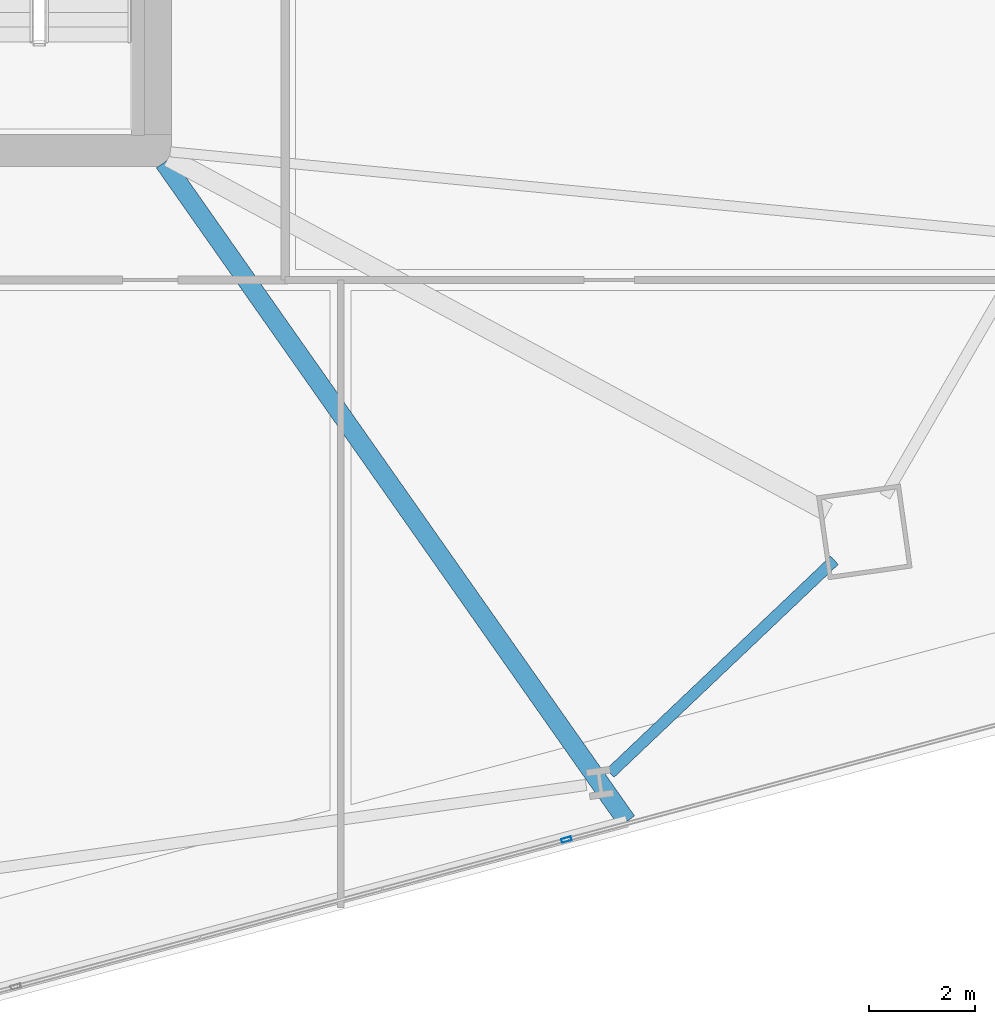
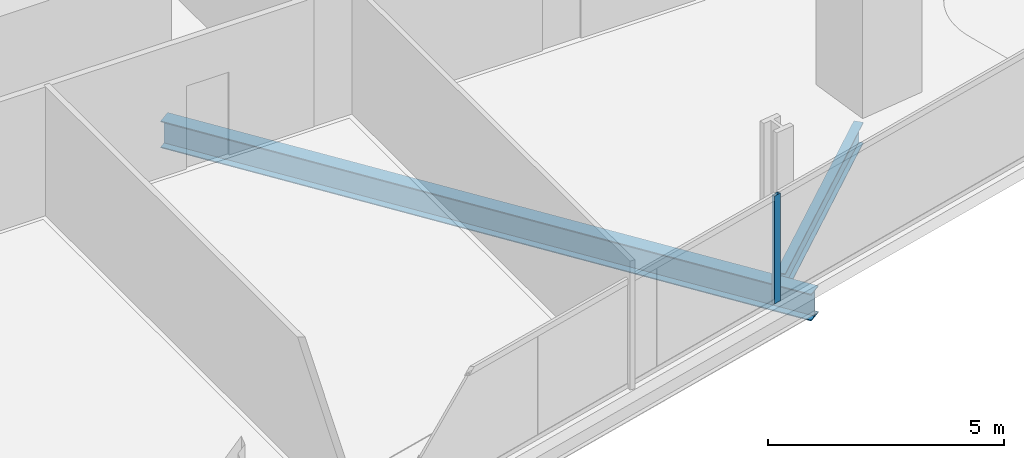
# One storey, part 9 of 33: 2 beams, 1 member, 1 element without a shape of its own.
"""IFC4 building model written with IfcOpenShell, lengths in metres."""

from ifc_helpers import new_model, si_unit, direction, frame, origin, origin_2d, place, context, subcontext, project, spatial, hollow_rectangle, i_section, extrude, material, material_profile, profile_set, type_object, element, aggregate, save


model = new_model("IFC4")

# Units and contexts
model_context = context("Model", 3, precision=1e-05, world=origin(), true_north=direction((0.0, 1.0)))
body_context = subcontext(model_context, "Body", "Model", "MODEL_VIEW")
ifc_project = project(units=[si_unit("LENGTHUNIT", "METRE"), si_unit("AREAUNIT", "SQUARE_METRE"), si_unit("VOLUMEUNIT", "CUBIC_METRE"), si_unit("PLANEANGLEUNIT", "RADIAN"), si_unit("MASSUNIT", "GRAM", prefix="KILO")], contexts=[model_context])

# Site, building, storey
site_placement = place(None, origin())
site = spatial("IfcSite", under=ifc_project, at=site_placement, CompositionType="ELEMENT")
building_placement = place(site_placement, origin())
building = spatial("IfcBuilding", under=site, at=building_placement, Name="Haldenkirk Collegiate Tower", CompositionType="ELEMENT")
storey_placement = place(building_placement, frame((0.0, 0.0, 77.699951171875)))
storey = spatial("IfcBuildingStorey", under=building, at=storey_placement, Name="L18", CompositionType="ELEMENT", Elevation=77.699951171875)

# Beams
ifc_material_1 = material(Name="Steel ASTM A992 Grade 50", Category="steel")
ifc_material_profile_1 = material_profile(ifc_material_1, i_section(OverallWidth=0.35498046875, OverallDepth=0.696044921875, WebThickness=0.015380859375, FlangeThickness=0.02490234375, at=origin_2d()), Name="W27X146")
ifc_profile_set_1 = profile_set([ifc_material_profile_1], Name="Steel ASTM A992 Grade 50")
beam_type_1 = type_object("IfcBeamType", Name="BM-GIRDER-W27X146", PredefinedType="BEAM", material=ifc_profile_set_1)
beam_1_placement = place(storey_placement, frame((53.91162109375, 5.315673828125, -0.657958984375), z_axis=(-0.574872677871, 0.818242876069, 0.0), x_axis=(-0.818242876069, -0.574872677871, 0.0)))
element("IfcBeam", 1, at=beam_1_placement, inside=storey, type_object=beam_type_1, Name="L18 primary floor girder 07", PredefinedType="BEAM", context=body_context, shape_type="SweptSolid", body=[
    extrude(i_section(OverallWidth=0.35498046875, OverallDepth=0.696044921875, WebThickness=0.015380859375, FlangeThickness=0.02490234375, at=origin_2d()), origin(), (0.0, 0.0, 1.0), 15.221923828125),
])
ifc_material_profile_2 = material_profile(ifc_material_1, i_section(OverallWidth=0.2119140625, OverallDepth=0.5439453125, WebThickness=0.01318359375, FlangeThickness=0.021240234375, at=origin_2d()), Name="W21X83")
ifc_profile_set_2 = profile_set([ifc_material_profile_2], Name="Steel ASTM A992 Grade 50")
beam_type_2 = type_object("IfcBeamType", Name="BM-SPANDREL-W21X83", PredefinedType="SPANDREL", material=ifc_profile_set_2)
beam_2_placement = place(storey_placement, frame((53.594482421875, 6.222412109375, -0.58203125), z_axis=(0.725113023209, 0.688629874151, 0.0), x_axis=(-0.688629874151, 0.725113023209, 0.0)))
element("IfcBeam", 2, at=beam_2_placement, inside=storey, type_object=beam_type_2, Name="L18 perimeter spandrel beam 04", PredefinedType="SPANDREL", context=body_context, shape_type="SweptSolid", body=[
    extrude(i_section(OverallWidth=0.2119140625, OverallDepth=0.5439453125, WebThickness=0.01318359375, FlangeThickness=0.021240234375, at=origin_2d()), origin(), (0.0, 0.0, 1.0), 5.8486328125),
])

# Curtain wall, member
ifc_material_2 = material(Name="Anodised architectural bronze aluminium", Category="aluminium")
curtain_wall_type = type_object("IfcCurtainWallType", Name="CW-SYS2-CONCAVE", PredefinedType="USERDEFINED", material=ifc_material_2)
curtain_wall_placement = place(storey_placement, origin())
curtain_wall = element("IfcCurtainWall", 3, at=curtain_wall_placement, inside=storey, type_object=curtain_wall_type, Name="L18 South concave recessed bronze-anodised curtain wall", ObjectType="UNITISED CURTAIN WALL", PredefinedType="USERDEFINED")
ifc_material_profile_3 = material_profile(ifc_material_2, hollow_rectangle(XDim=0.074951171875, YDim=0.18994140625, WallThickness=0.0048828125, at=origin_2d()), Name="CW-MUL-02")
ifc_profile_set_3 = profile_set([ifc_material_profile_3], Name="Anodised architectural bronze aluminium")
member_type = type_object("IfcMemberType", Name="CW-MUL-02", PredefinedType="MULLION", material=ifc_profile_set_3)
member_placement = place(storey_placement, frame((52.768310546875, 4.968994140625, 0.0), z_axis=(0.0, 0.0, 1.0), x_axis=(0.257976294663, -0.966151246644, 0.0)))
member = element("IfcMember", 4, at=member_placement, type_object=member_type, Name="CW-02 mullion 2", PredefinedType="MULLION", context=body_context, shape_type="SweptSolid", body=[
    extrude(hollow_rectangle(XDim=0.074951171875, YDim=0.18994140625, WallThickness=0.0048828125, at=origin_2d()), origin(), (0.0, 0.0, 1.0), 2.791015625),
])
aggregate(curtain_wall, [member])

save(model, "model.ifc")
